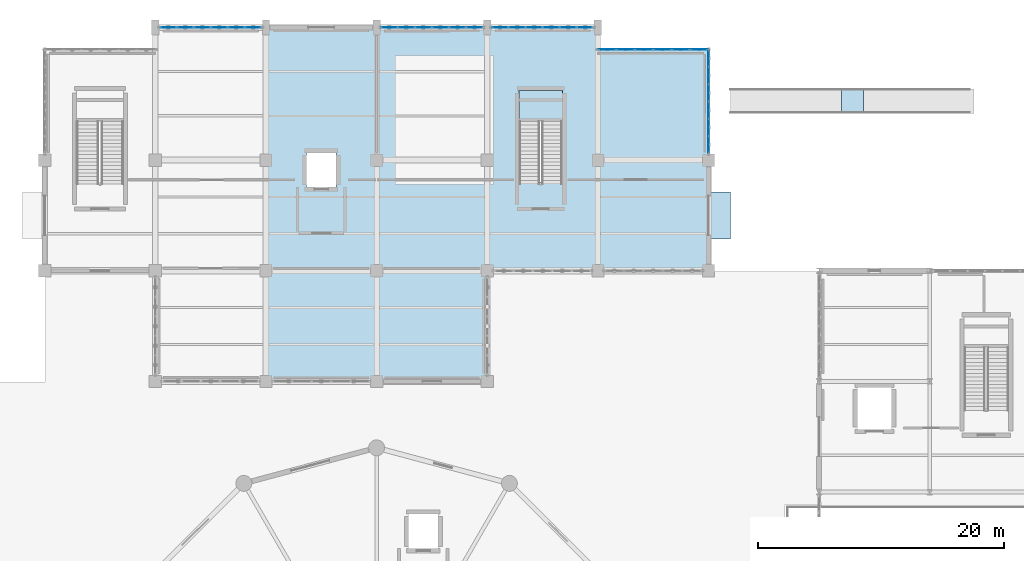
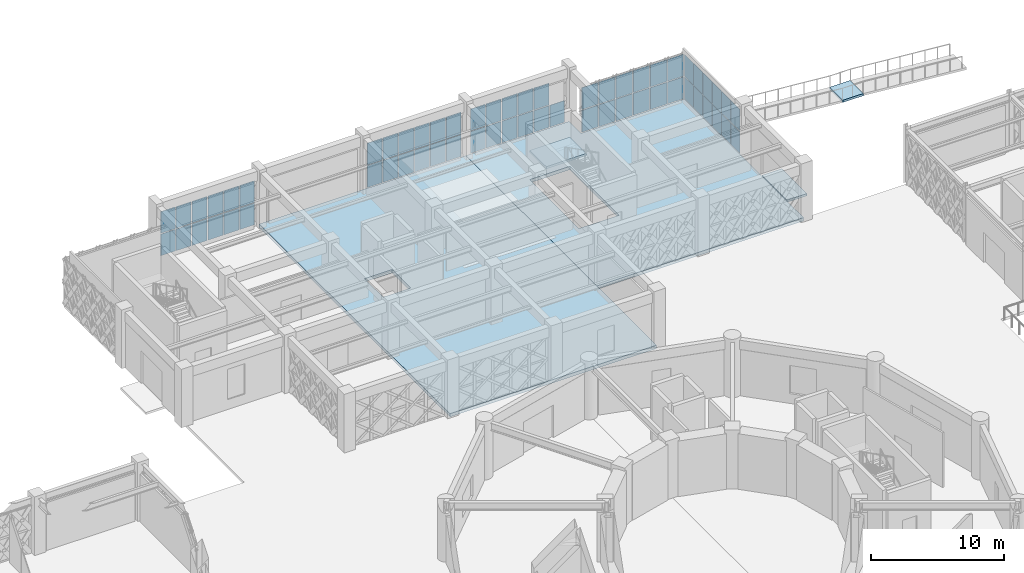
# One storey, part 109 of 140: 59 plates, 5 slabs, 7 elements without a shape of their own.
"""IFC4 building model written with IfcOpenShell, lengths in metres."""

from ifc_helpers import new_model, si_unit, direction, frame, origin, origin_2d, place, context, subcontext, project, spatial, polyline, rectangle, outline, extrude, material, layer, layer_set, type_object, element, aggregate, save


model = new_model("IFC4")

# Units and contexts
model_context = context("Model", 3, precision=1e-05, world=origin(), true_north=direction((0.0, 1.0)))
body_context = subcontext(model_context, "Body", "Model", "MODEL_VIEW")
ifc_project = project(units=[si_unit("LENGTHUNIT", "METRE"), si_unit("AREAUNIT", "SQUARE_METRE"), si_unit("VOLUMEUNIT", "CUBIC_METRE"), si_unit("PLANEANGLEUNIT", "RADIAN"), si_unit("MASSUNIT", "GRAM", prefix="KILO")], contexts=[model_context])

# Site, building, storey
site_placement = place(None, origin())
site = spatial("IfcSite", under=ifc_project, at=site_placement, CompositionType="ELEMENT")
building_placement = place(site_placement, origin())
building = spatial("IfcBuilding", under=site, at=building_placement, Name="Haizhuo Lancet Aquarium", CompositionType="ELEMENT")
storey_placement = place(building_placement, origin())
storey = spatial("IfcBuildingStorey", under=building, at=storey_placement, Name="L00", CompositionType="ELEMENT", Elevation=0.0)

# Curtain wall, plates
ifc_material_1 = material(Name="Aluminium 6063-T6", Category="aluminium")
curtain_wall_type_1 = type_object("IfcCurtainWallType", Name="CWD-8310x4220", PredefinedType="NOTDEFINED", material=ifc_material_1)
curtain_wall_1_placement = place(storey_placement, origin())
curtain_wall_1 = element("IfcCurtainWall", 1, at=curtain_wall_1_placement, inside=storey, type_object=curtain_wall_type_1, Name="L00 curtain wall CW-V5-L00-117", PredefinedType="NOTDEFINED")
ifc_material_2 = material(Name="Laminated Low-E Glass", Category="glass")
ifc_layer_1 = layer(ifc_material_2, 0.028076171875)
ifc_layer_set_1 = layer_set([ifc_layer_1], Name="Laminated Low-E Glass")
plate_type_1 = type_object("IfcPlateType", Name="CW-PNL-1", PredefinedType="CURTAIN_PANEL", material=ifc_layer_set_1)
plate_1_placement = place(storey_placement, frame((-16.943115234375, 55.800048828125, 0.080078125), z_axis=(0.0, 0.0, 1.0), x_axis=(1.0, 0.0, 0.0)))
plate_1 = element("IfcPlate", 2, at=plate_1_placement, type_object=plate_type_1, Name="CWD-83x42 panel 1.1", PredefinedType="CURTAIN_PANEL", context=body_context, shape_type="SweptSolid", body=[
    extrude(rectangle(XDim=1.264892578125, YDim=0.028076171875, at=origin_2d()), origin(), (0.0, 0.0, 1.0), 1.989990234375),
])
plate_2_placement = place(storey_placement, frame((-16.943115234375, 55.800048828125, 2.14990234375), z_axis=(0.0, 0.0, 1.0), x_axis=(1.0, 0.0, 0.0)))
plate_2 = element("IfcPlate", 3, at=plate_2_placement, type_object=plate_type_1, Name="CWD-83x42 panel 1.2", PredefinedType="CURTAIN_PANEL", context=body_context, shape_type="SweptSolid", body=[
    extrude(rectangle(XDim=1.264892578125, YDim=0.028076171875, at=origin_2d()), origin(), (0.0, 0.0, 1.0), 1.989990234375),
])
plate_3_placement = place(storey_placement, frame((-15.577880859375, 55.800048828125, 0.080078125), z_axis=(0.0, 0.0, 1.0), x_axis=(1.0, 0.0, 0.0)))
plate_3 = element("IfcPlate", 4, at=plate_3_placement, type_object=plate_type_1, Name="CWD-83x42 panel 2.1", PredefinedType="CURTAIN_PANEL", context=body_context, shape_type="SweptSolid", body=[
    extrude(rectangle(XDim=1.304931640625, YDim=0.028076171875, at=origin_2d()), origin(), (0.0, 0.0, 1.0), 1.989990234375),
])
plate_4_placement = place(storey_placement, frame((-15.577880859375, 55.800048828125, 2.14990234375), z_axis=(0.0, 0.0, 1.0), x_axis=(1.0, 0.0, 0.0)))
plate_4 = element("IfcPlate", 5, at=plate_4_placement, type_object=plate_type_1, Name="CWD-83x42 panel 2.2", PredefinedType="CURTAIN_PANEL", context=body_context, shape_type="SweptSolid", body=[
    extrude(rectangle(XDim=1.304931640625, YDim=0.028076171875, at=origin_2d()), origin(), (0.0, 0.0, 1.0), 1.989990234375),
])
plate_5_placement = place(storey_placement, frame((-14.193115234375, 55.800048828125, 0.080078125), z_axis=(0.0, 0.0, 1.0), x_axis=(1.0, 0.0, 0.0)))
plate_5 = element("IfcPlate", 6, at=plate_5_placement, type_object=plate_type_1, Name="CWD-83x42 panel 3.1", PredefinedType="CURTAIN_PANEL", context=body_context, shape_type="SweptSolid", body=[
    extrude(rectangle(XDim=1.304931640625, YDim=0.028076171875, at=origin_2d()), origin(), (0.0, 0.0, 1.0), 1.989990234375),
])
plate_6_placement = place(storey_placement, frame((-14.193115234375, 55.800048828125, 2.14990234375), z_axis=(0.0, 0.0, 1.0), x_axis=(1.0, 0.0, 0.0)))
plate_6 = element("IfcPlate", 7, at=plate_6_placement, type_object=plate_type_1, Name="CWD-83x42 panel 3.2", PredefinedType="CURTAIN_PANEL", context=body_context, shape_type="SweptSolid", body=[
    extrude(rectangle(XDim=1.304931640625, YDim=0.028076171875, at=origin_2d()), origin(), (0.0, 0.0, 1.0), 1.989990234375),
])
plate_7_placement = place(storey_placement, frame((-12.80810546875, 55.800048828125, 0.080078125), z_axis=(0.0, 0.0, 1.0), x_axis=(1.0, 0.0, 0.0)))
plate_7 = element("IfcPlate", 8, at=plate_7_placement, type_object=plate_type_1, Name="CWD-83x42 panel 4.1", PredefinedType="CURTAIN_PANEL", context=body_context, shape_type="SweptSolid", body=[
    extrude(rectangle(XDim=1.304931640625, YDim=0.028076171875, at=origin_2d()), origin(), (0.0, 0.0, 1.0), 1.989990234375),
])
plate_8_placement = place(storey_placement, frame((-12.80810546875, 55.800048828125, 2.14990234375), z_axis=(0.0, 0.0, 1.0), x_axis=(1.0, 0.0, 0.0)))
plate_8 = element("IfcPlate", 9, at=plate_8_placement, type_object=plate_type_1, Name="CWD-83x42 panel 4.2", PredefinedType="CURTAIN_PANEL", context=body_context, shape_type="SweptSolid", body=[
    extrude(rectangle(XDim=1.304931640625, YDim=0.028076171875, at=origin_2d()), origin(), (0.0, 0.0, 1.0), 1.989990234375),
])
plate_9_placement = place(storey_placement, frame((-11.423095703125, 55.800048828125, 0.080078125), z_axis=(0.0, 0.0, 1.0), x_axis=(1.0, 0.0, 0.0)))
plate_9 = element("IfcPlate", 10, at=plate_9_placement, type_object=plate_type_1, Name="CWD-83x42 panel 5.1", PredefinedType="CURTAIN_PANEL", context=body_context, shape_type="SweptSolid", body=[
    extrude(rectangle(XDim=1.304931640625, YDim=0.028076171875, at=origin_2d()), origin(), (0.0, 0.0, 1.0), 1.989990234375),
])
plate_10_placement = place(storey_placement, frame((-11.423095703125, 55.800048828125, 2.14990234375), z_axis=(0.0, 0.0, 1.0), x_axis=(1.0, 0.0, 0.0)))
plate_10 = element("IfcPlate", 11, at=plate_10_placement, type_object=plate_type_1, Name="CWD-83x42 panel 5.2", PredefinedType="CURTAIN_PANEL", context=body_context, shape_type="SweptSolid", body=[
    extrude(rectangle(XDim=1.304931640625, YDim=0.028076171875, at=origin_2d()), origin(), (0.0, 0.0, 1.0), 1.989990234375),
])
plate_11_placement = place(storey_placement, frame((-10.05810546875, 55.800048828125, 0.080078125), z_axis=(0.0, 0.0, 1.0), x_axis=(1.0, 0.0, 0.0)))
plate_11 = element("IfcPlate", 12, at=plate_11_placement, type_object=plate_type_1, Name="CWD-83x42 panel 6.1", PredefinedType="CURTAIN_PANEL", context=body_context, shape_type="SweptSolid", body=[
    extrude(rectangle(XDim=1.264892578125, YDim=0.028076171875, at=origin_2d()), origin(), (0.0, 0.0, 1.0), 1.989990234375),
])
plate_12_placement = place(storey_placement, frame((-10.05810546875, 55.800048828125, 2.14990234375), z_axis=(0.0, 0.0, 1.0), x_axis=(1.0, 0.0, 0.0)))
plate_12 = element("IfcPlate", 13, at=plate_12_placement, type_object=plate_type_1, Name="CWD-83x42 panel 6.2", PredefinedType="CURTAIN_PANEL", context=body_context, shape_type="SweptSolid", body=[
    extrude(rectangle(XDim=1.264892578125, YDim=0.028076171875, at=origin_2d()), origin(), (0.0, 0.0, 1.0), 1.989990234375),
])
aggregate(curtain_wall_1, [plate_1, plate_2, plate_3, plate_4, plate_5, plate_6, plate_7, plate_8, plate_9, plate_10, plate_11, plate_12])

curtain_wall_type_2 = type_object("IfcCurtainWallType", Name="CWD-8460x4200", PredefinedType="NOTDEFINED", material=ifc_material_1)
curtain_wall_2_placement = place(storey_placement, origin())
curtain_wall_2 = element("IfcCurtainWall", 14, at=curtain_wall_2_placement, inside=storey, type_object=curtain_wall_type_2, Name="L00 curtain wall CW-V5-L00-121", PredefinedType="NOTDEFINED")
plate_13_placement = place(storey_placement, frame((27.0, 53.279052734375, 0.06494140625), z_axis=(0.0, 0.0, 1.0), x_axis=(0.0, -1.0, 0.0)))
plate_13 = element("IfcPlate", 15, at=plate_13_placement, type_object=plate_type_1, Name="CWD-84x42 panel 1.1", PredefinedType="CURTAIN_PANEL", context=body_context, shape_type="SweptSolid", body=[
    extrude(rectangle(XDim=1.31201171875, YDim=0.028076171875, at=origin_2d()), origin(), (0.0, 0.0, 1.0), 2.006103515625),
])
plate_14_placement = place(storey_placement, frame((27.0, 53.279052734375, 2.135498046875), z_axis=(0.0, 0.0, 1.0), x_axis=(0.0, -1.0, 0.0)))
plate_14 = element("IfcPlate", 16, at=plate_14_placement, type_object=plate_type_1, Name="CWD-84x42 panel 1.2", PredefinedType="CURTAIN_PANEL", context=body_context, shape_type="SweptSolid", body=[
    extrude(rectangle(XDim=1.31201171875, YDim=0.028076171875, at=origin_2d()), origin(), (0.0, 0.0, 1.0), 2.0048828125),
])
plate_15_placement = place(storey_placement, frame((27.0, 51.885986328125, 0.06494140625), z_axis=(0.0, 0.0, 1.0), x_axis=(0.0, -1.0, 0.0)))
plate_15 = element("IfcPlate", 17, at=plate_15_placement, type_object=plate_type_1, Name="CWD-84x42 panel 2.1", PredefinedType="CURTAIN_PANEL", context=body_context, shape_type="SweptSolid", body=[
    extrude(rectangle(XDim=1.343994140625, YDim=0.028076171875, at=origin_2d()), origin(), (0.0, 0.0, 1.0), 2.006103515625),
])
plate_16_placement = place(storey_placement, frame((27.0, 51.885986328125, 2.135498046875), z_axis=(0.0, 0.0, 1.0), x_axis=(0.0, -1.0, 0.0)))
plate_16 = element("IfcPlate", 18, at=plate_16_placement, type_object=plate_type_1, Name="CWD-84x42 panel 2.2", PredefinedType="CURTAIN_PANEL", context=body_context, shape_type="SweptSolid", body=[
    extrude(rectangle(XDim=1.343994140625, YDim=0.028076171875, at=origin_2d()), origin(), (0.0, 0.0, 1.0), 2.0048828125),
])
plate_17_placement = place(storey_placement, frame((27.0, 50.47705078125, 0.06494140625), z_axis=(0.0, 0.0, 1.0), x_axis=(0.0, -1.0, 0.0)))
plate_17 = element("IfcPlate", 19, at=plate_17_placement, type_object=plate_type_1, Name="CWD-84x42 panel 3.1", PredefinedType="CURTAIN_PANEL", context=body_context, shape_type="SweptSolid", body=[
    extrude(rectangle(XDim=1.343994140625, YDim=0.028076171875, at=origin_2d()), origin(), (0.0, 0.0, 1.0), 2.006103515625),
])
plate_18_placement = place(storey_placement, frame((27.0, 50.47705078125, 2.135498046875), z_axis=(0.0, 0.0, 1.0), x_axis=(0.0, -1.0, 0.0)))
plate_18 = element("IfcPlate", 20, at=plate_18_placement, type_object=plate_type_1, Name="CWD-84x42 panel 3.2", PredefinedType="CURTAIN_PANEL", context=body_context, shape_type="SweptSolid", body=[
    extrude(rectangle(XDim=1.343994140625, YDim=0.028076171875, at=origin_2d()), origin(), (0.0, 0.0, 1.0), 2.0048828125),
])
plate_19_placement = place(storey_placement, frame((27.0, 49.068115234375, 0.06494140625), z_axis=(0.0, 0.0, 1.0), x_axis=(0.0, -1.0, 0.0)))
plate_19 = element("IfcPlate", 21, at=plate_19_placement, type_object=plate_type_1, Name="CWD-84x42 panel 4.1", PredefinedType="CURTAIN_PANEL", context=body_context, shape_type="SweptSolid", body=[
    extrude(rectangle(XDim=1.343994140625, YDim=0.028076171875, at=origin_2d()), origin(), (0.0, 0.0, 1.0), 2.006103515625),
])
plate_20_placement = place(storey_placement, frame((27.0, 49.068115234375, 2.135498046875), z_axis=(0.0, 0.0, 1.0), x_axis=(0.0, -1.0, 0.0)))
plate_20 = element("IfcPlate", 22, at=plate_20_placement, type_object=plate_type_1, Name="CWD-84x42 panel 4.2", PredefinedType="CURTAIN_PANEL", context=body_context, shape_type="SweptSolid", body=[
    extrude(rectangle(XDim=1.343994140625, YDim=0.028076171875, at=origin_2d()), origin(), (0.0, 0.0, 1.0), 2.0048828125),
])
plate_21_placement = place(storey_placement, frame((27.0, 47.658935546875, 0.06494140625), z_axis=(0.0, 0.0, 1.0), x_axis=(0.0, -1.0, 0.0)))
plate_21 = element("IfcPlate", 23, at=plate_21_placement, type_object=plate_type_1, Name="CWD-84x42 panel 5.1", PredefinedType="CURTAIN_PANEL", context=body_context, shape_type="SweptSolid", body=[
    extrude(rectangle(XDim=1.343994140625, YDim=0.028076171875, at=origin_2d()), origin(), (0.0, 0.0, 1.0), 2.006103515625),
])
plate_22_placement = place(storey_placement, frame((27.0, 47.658935546875, 2.135498046875), z_axis=(0.0, 0.0, 1.0), x_axis=(0.0, -1.0, 0.0)))
plate_22 = element("IfcPlate", 24, at=plate_22_placement, type_object=plate_type_1, Name="CWD-84x42 panel 5.2", PredefinedType="CURTAIN_PANEL", context=body_context, shape_type="SweptSolid", body=[
    extrude(rectangle(XDim=1.343994140625, YDim=0.028076171875, at=origin_2d()), origin(), (0.0, 0.0, 1.0), 2.0048828125),
])
plate_23_placement = place(storey_placement, frame((27.0, 46.26611328125, 0.06494140625), z_axis=(0.0, 0.0, 1.0), x_axis=(0.0, -1.0, 0.0)))
plate_23 = element("IfcPlate", 25, at=plate_23_placement, type_object=plate_type_1, Name="CWD-84x42 panel 6.1", PredefinedType="CURTAIN_PANEL", context=body_context, shape_type="SweptSolid", body=[
    extrude(rectangle(XDim=1.31201171875, YDim=0.028076171875, at=origin_2d()), origin(), (0.0, 0.0, 1.0), 2.006103515625),
])
plate_24_placement = place(storey_placement, frame((27.0, 46.26611328125, 2.135498046875), z_axis=(0.0, 0.0, 1.0), x_axis=(0.0, -1.0, 0.0)))
plate_24 = element("IfcPlate", 26, at=plate_24_placement, type_object=plate_type_1, Name="CWD-84x42 panel 6.2", PredefinedType="CURTAIN_PANEL", context=body_context, shape_type="SweptSolid", body=[
    extrude(rectangle(XDim=1.31201171875, YDim=0.028076171875, at=origin_2d()), origin(), (0.0, 0.0, 1.0), 2.0048828125),
])
aggregate(curtain_wall_2, [plate_13, plate_14, plate_15, plate_16, plate_17, plate_18, plate_19, plate_20, plate_21, plate_22, plate_23, plate_24])

curtain_wall_3_placement = place(storey_placement, origin())
curtain_wall_3 = element("IfcCurtainWall", 27, at=curtain_wall_3_placement, inside=storey, type_object=curtain_wall_type_1, Name="L00 curtain wall CW-V5-L00-118", PredefinedType="NOTDEFINED")
ifc_layer_2 = layer(ifc_material_2, 0.033935546875)
ifc_layer_set_2 = layer_set([ifc_layer_2], Name="Laminated Low-E Glass")
plate_type_2 = type_object("IfcPlateType", Name="CW-PNL-2", PredefinedType="CURTAIN_PANEL", material=ifc_layer_set_2)
plate_25_placement = place(storey_placement, frame((1.053955078125, 55.800048828125, 0.06494140625), z_axis=(0.0, 0.0, 1.0), x_axis=(1.0, 0.0, 0.0)))
plate_25 = element("IfcPlate", 28, at=plate_25_placement, type_object=plate_type_2, Name="CWD-83x42 panel 1.1", PredefinedType="CURTAIN_PANEL", context=body_context, shape_type="SweptSolid", body=[
    extrude(rectangle(XDim=1.287109375, YDim=0.033935546875, at=origin_2d()), origin(), (0.0, 0.0, 1.0), 2.011962890625),
])
plate_26_placement = place(storey_placement, frame((1.053955078125, 55.800048828125, 2.142578125), z_axis=(0.0, 0.0, 1.0), x_axis=(1.0, 0.0, 0.0)))
plate_26 = element("IfcPlate", 29, at=plate_26_placement, type_object=plate_type_2, Name="CWD-83x42 panel 1.2", PredefinedType="CURTAIN_PANEL", context=body_context, shape_type="SweptSolid", body=[
    extrude(rectangle(XDim=1.287109375, YDim=0.033935546875, at=origin_2d()), origin(), (0.0, 0.0, 1.0), 2.012939453125),
])
plate_27_placement = place(storey_placement, frame((2.422119140625, 55.800048828125, 0.06494140625), z_axis=(0.0, 0.0, 1.0), x_axis=(1.0, 0.0, 0.0)))
plate_27 = element("IfcPlate", 30, at=plate_27_placement, type_object=plate_type_2, Name="CWD-83x42 panel 2.1", PredefinedType="CURTAIN_PANEL", context=body_context, shape_type="SweptSolid", body=[
    extrude(rectangle(XDim=1.320068359375, YDim=0.033935546875, at=origin_2d()), origin(), (0.0, 0.0, 1.0), 2.011962890625),
])
plate_28_placement = place(storey_placement, frame((2.422119140625, 55.800048828125, 2.142578125), z_axis=(0.0, 0.0, 1.0), x_axis=(1.0, 0.0, 0.0)))
plate_28 = element("IfcPlate", 31, at=plate_28_placement, type_object=plate_type_2, Name="CWD-83x42 panel 2.2", PredefinedType="CURTAIN_PANEL", context=body_context, shape_type="SweptSolid", body=[
    extrude(rectangle(XDim=1.320068359375, YDim=0.033935546875, at=origin_2d()), origin(), (0.0, 0.0, 1.0), 2.012939453125),
])
plate_29_placement = place(storey_placement, frame((3.806884765625, 55.800048828125, 0.06494140625), z_axis=(0.0, 0.0, 1.0), x_axis=(1.0, 0.0, 0.0)))
plate_29 = element("IfcPlate", 32, at=plate_29_placement, type_object=plate_type_2, Name="CWD-83x42 panel 3.1", PredefinedType="CURTAIN_PANEL", context=body_context, shape_type="SweptSolid", body=[
    extrude(rectangle(XDim=1.320068359375, YDim=0.033935546875, at=origin_2d()), origin(), (0.0, 0.0, 1.0), 2.011962890625),
])
plate_30_placement = place(storey_placement, frame((3.806884765625, 55.800048828125, 2.142578125), z_axis=(0.0, 0.0, 1.0), x_axis=(1.0, 0.0, 0.0)))
plate_30 = element("IfcPlate", 33, at=plate_30_placement, type_object=plate_type_2, Name="CWD-83x42 panel 3.2", PredefinedType="CURTAIN_PANEL", context=body_context, shape_type="SweptSolid", body=[
    extrude(rectangle(XDim=1.320068359375, YDim=0.033935546875, at=origin_2d()), origin(), (0.0, 0.0, 1.0), 2.012939453125),
])
plate_31_placement = place(storey_placement, frame((5.19189453125, 55.800048828125, 0.06494140625), z_axis=(0.0, 0.0, 1.0), x_axis=(1.0, 0.0, 0.0)))
plate_31 = element("IfcPlate", 34, at=plate_31_placement, type_object=plate_type_2, Name="CWD-83x42 panel 4.1", PredefinedType="CURTAIN_PANEL", context=body_context, shape_type="SweptSolid", body=[
    extrude(rectangle(XDim=1.320068359375, YDim=0.033935546875, at=origin_2d()), origin(), (0.0, 0.0, 1.0), 2.011962890625),
])
plate_32_placement = place(storey_placement, frame((5.19189453125, 55.800048828125, 2.142578125), z_axis=(0.0, 0.0, 1.0), x_axis=(1.0, 0.0, 0.0)))
plate_32 = element("IfcPlate", 35, at=plate_32_placement, type_object=plate_type_2, Name="CWD-83x42 panel 4.2", PredefinedType="CURTAIN_PANEL", context=body_context, shape_type="SweptSolid", body=[
    extrude(rectangle(XDim=1.320068359375, YDim=0.033935546875, at=origin_2d()), origin(), (0.0, 0.0, 1.0), 2.012939453125),
])
plate_33_placement = place(storey_placement, frame((6.576904296875, 55.800048828125, 0.06494140625), z_axis=(0.0, 0.0, 1.0), x_axis=(1.0, 0.0, 0.0)))
plate_33 = element("IfcPlate", 36, at=plate_33_placement, type_object=plate_type_2, Name="CWD-83x42 panel 5.1", PredefinedType="CURTAIN_PANEL", context=body_context, shape_type="SweptSolid", body=[
    extrude(rectangle(XDim=1.320068359375, YDim=0.033935546875, at=origin_2d()), origin(), (0.0, 0.0, 1.0), 2.011962890625),
])
plate_34_placement = place(storey_placement, frame((6.576904296875, 55.800048828125, 2.142578125), z_axis=(0.0, 0.0, 1.0), x_axis=(1.0, 0.0, 0.0)))
plate_34 = element("IfcPlate", 37, at=plate_34_placement, type_object=plate_type_2, Name="CWD-83x42 panel 5.2", PredefinedType="CURTAIN_PANEL", context=body_context, shape_type="SweptSolid", body=[
    extrude(rectangle(XDim=1.320068359375, YDim=0.033935546875, at=origin_2d()), origin(), (0.0, 0.0, 1.0), 2.012939453125),
])
plate_35_placement = place(storey_placement, frame((7.946044921875, 55.800048828125, 0.06494140625), z_axis=(0.0, 0.0, 1.0), x_axis=(1.0, 0.0, 0.0)))
plate_35 = element("IfcPlate", 38, at=plate_35_placement, type_object=plate_type_2, Name="CWD-83x42 panel 6.1", PredefinedType="CURTAIN_PANEL", context=body_context, shape_type="SweptSolid", body=[
    extrude(rectangle(XDim=1.287109375, YDim=0.033935546875, at=origin_2d()), origin(), (0.0, 0.0, 1.0), 2.011962890625),
])
plate_36_placement = place(storey_placement, frame((7.946044921875, 55.800048828125, 2.142578125), z_axis=(0.0, 0.0, 1.0), x_axis=(1.0, 0.0, 0.0)))
plate_36 = element("IfcPlate", 39, at=plate_36_placement, type_object=plate_type_2, Name="CWD-83x42 panel 6.2", PredefinedType="CURTAIN_PANEL", context=body_context, shape_type="SweptSolid", body=[
    extrude(rectangle(XDim=1.287109375, YDim=0.033935546875, at=origin_2d()), origin(), (0.0, 0.0, 1.0), 2.012939453125),
])
aggregate(curtain_wall_3, [plate_25, plate_26, plate_27, plate_28, plate_29, plate_30, plate_31, plate_32, plate_33, plate_34, plate_35, plate_36])

curtain_wall_4_placement = place(storey_placement, origin())
curtain_wall_4 = element("IfcCurtainWall", 40, at=curtain_wall_4_placement, inside=storey, type_object=curtain_wall_type_1, Name="L00 curtain wall CW-V5-L00-119", PredefinedType="NOTDEFINED")
ifc_layer_3 = layer(ifc_material_2, 0.0419921875)
ifc_layer_set_3 = layer_set([ifc_layer_3], Name="Laminated Low-E Glass")
plate_type_3 = type_object("IfcPlateType", Name="CW-PNL-3", PredefinedType="CURTAIN_PANEL", material=ifc_layer_set_3)
plate_37_placement = place(storey_placement, frame((10.055908203125, 55.800048828125, 0.075439453125), z_axis=(0.0, 0.0, 1.0), x_axis=(1.0, 0.0, 0.0)))
plate_37 = element("IfcPlate", 41, at=plate_37_placement, type_object=plate_type_3, Name="CWD-83x42 panel 1.1", PredefinedType="CURTAIN_PANEL", context=body_context, shape_type="SweptSolid", body=[
    extrude(rectangle(XDim=1.27197265625, YDim=0.0419921875, at=origin_2d()), origin(), (0.0, 0.0, 1.0), 1.9970703125),
])
plate_38_placement = place(storey_placement, frame((10.055908203125, 55.800048828125, 2.14697265625), z_axis=(0.0, 0.0, 1.0), x_axis=(1.0, 0.0, 0.0)))
plate_38 = element("IfcPlate", 42, at=plate_38_placement, type_object=plate_type_3, Name="CWD-83x42 panel 1.2", PredefinedType="CURTAIN_PANEL", context=body_context, shape_type="SweptSolid", body=[
    extrude(rectangle(XDim=1.27197265625, YDim=0.0419921875, at=origin_2d()), origin(), (0.0, 0.0, 1.0), 1.998046875),
])
plate_39_placement = place(storey_placement, frame((11.423095703125, 55.800048828125, 0.075439453125), z_axis=(0.0, 0.0, 1.0), x_axis=(1.0, 0.0, 0.0)))
plate_39 = element("IfcPlate", 43, at=plate_39_placement, type_object=plate_type_3, Name="CWD-83x42 panel 2.1", PredefinedType="CURTAIN_PANEL", context=body_context, shape_type="SweptSolid", body=[
    extrude(rectangle(XDim=1.31005859375, YDim=0.0419921875, at=origin_2d()), origin(), (0.0, 0.0, 1.0), 1.9970703125),
])
plate_40_placement = place(storey_placement, frame((11.423095703125, 55.800048828125, 2.14697265625), z_axis=(0.0, 0.0, 1.0), x_axis=(1.0, 0.0, 0.0)))
plate_40 = element("IfcPlate", 44, at=plate_40_placement, type_object=plate_type_3, Name="CWD-83x42 panel 2.2", PredefinedType="CURTAIN_PANEL", context=body_context, shape_type="SweptSolid", body=[
    extrude(rectangle(XDim=1.31005859375, YDim=0.0419921875, at=origin_2d()), origin(), (0.0, 0.0, 1.0), 1.998046875),
])
plate_41_placement = place(storey_placement, frame((12.80810546875, 55.800048828125, 0.075439453125), z_axis=(0.0, 0.0, 1.0), x_axis=(1.0, 0.0, 0.0)))
plate_41 = element("IfcPlate", 45, at=plate_41_placement, type_object=plate_type_3, Name="CWD-83x42 panel 3.1", PredefinedType="CURTAIN_PANEL", context=body_context, shape_type="SweptSolid", body=[
    extrude(rectangle(XDim=1.31005859375, YDim=0.0419921875, at=origin_2d()), origin(), (0.0, 0.0, 1.0), 1.9970703125),
])
plate_42_placement = place(storey_placement, frame((12.80810546875, 55.800048828125, 2.14697265625), z_axis=(0.0, 0.0, 1.0), x_axis=(1.0, 0.0, 0.0)))
plate_42 = element("IfcPlate", 46, at=plate_42_placement, type_object=plate_type_3, Name="CWD-83x42 panel 3.2", PredefinedType="CURTAIN_PANEL", context=body_context, shape_type="SweptSolid", body=[
    extrude(rectangle(XDim=1.31005859375, YDim=0.0419921875, at=origin_2d()), origin(), (0.0, 0.0, 1.0), 1.998046875),
])
plate_43_placement = place(storey_placement, frame((14.193115234375, 55.800048828125, 0.075439453125), z_axis=(0.0, 0.0, 1.0), x_axis=(1.0, 0.0, 0.0)))
plate_43 = element("IfcPlate", 47, at=plate_43_placement, type_object=plate_type_3, Name="CWD-83x42 panel 4.1", PredefinedType="CURTAIN_PANEL", context=body_context, shape_type="SweptSolid", body=[
    extrude(rectangle(XDim=1.31005859375, YDim=0.0419921875, at=origin_2d()), origin(), (0.0, 0.0, 1.0), 1.9970703125),
])
plate_44_placement = place(storey_placement, frame((14.193115234375, 55.800048828125, 2.14697265625), z_axis=(0.0, 0.0, 1.0), x_axis=(1.0, 0.0, 0.0)))
plate_44 = element("IfcPlate", 48, at=plate_44_placement, type_object=plate_type_3, Name="CWD-83x42 panel 4.2", PredefinedType="CURTAIN_PANEL", context=body_context, shape_type="SweptSolid", body=[
    extrude(rectangle(XDim=1.31005859375, YDim=0.0419921875, at=origin_2d()), origin(), (0.0, 0.0, 1.0), 1.998046875),
])
plate_45_placement = place(storey_placement, frame((15.577880859375, 55.800048828125, 0.075439453125), z_axis=(0.0, 0.0, 1.0), x_axis=(1.0, 0.0, 0.0)))
plate_45 = element("IfcPlate", 49, at=plate_45_placement, type_object=plate_type_3, Name="CWD-83x42 panel 5.1", PredefinedType="CURTAIN_PANEL", context=body_context, shape_type="SweptSolid", body=[
    extrude(rectangle(XDim=1.31005859375, YDim=0.0419921875, at=origin_2d()), origin(), (0.0, 0.0, 1.0), 1.9970703125),
])
plate_46_placement = place(storey_placement, frame((15.577880859375, 55.800048828125, 2.14697265625), z_axis=(0.0, 0.0, 1.0), x_axis=(1.0, 0.0, 0.0)))
plate_46 = element("IfcPlate", 50, at=plate_46_placement, type_object=plate_type_3, Name="CWD-83x42 panel 5.2", PredefinedType="CURTAIN_PANEL", context=body_context, shape_type="SweptSolid", body=[
    extrude(rectangle(XDim=1.31005859375, YDim=0.0419921875, at=origin_2d()), origin(), (0.0, 0.0, 1.0), 1.998046875),
])
plate_47_placement = place(storey_placement, frame((16.944091796875, 55.800048828125, 0.075439453125), z_axis=(0.0, 0.0, 1.0), x_axis=(1.0, 0.0, 0.0)))
plate_47 = element("IfcPlate", 51, at=plate_47_placement, type_object=plate_type_3, Name="CWD-83x42 panel 6.1", PredefinedType="CURTAIN_PANEL", context=body_context, shape_type="SweptSolid", body=[
    extrude(rectangle(XDim=1.27294921875, YDim=0.0419921875, at=origin_2d()), origin(), (0.0, 0.0, 1.0), 1.9970703125),
])
aggregate(curtain_wall_4, [plate_37, plate_38, plate_39, plate_40, plate_41, plate_42, plate_43, plate_44, plate_45, plate_46, plate_47])

curtain_wall_type_3 = type_object("IfcCurtainWallType", Name="CWD-9000x4260", PredefinedType="NOTDEFINED", material=ifc_material_1)
curtain_wall_5_placement = place(storey_placement, origin())
curtain_wall_5 = element("IfcCurtainWall", 52, at=curtain_wall_5_placement, inside=storey, type_object=curtain_wall_type_3, Name="L00 curtain wall CW-V5-L00-120", PredefinedType="NOTDEFINED")
ifc_layer_4 = layer(ifc_material_2, 0.052001953125)
ifc_layer_set_4 = layer_set([ifc_layer_4], Name="Laminated Low-E Glass")
plate_type_4 = type_object("IfcPlateType", Name="CW-PNL-4", PredefinedType="CURTAIN_PANEL", material=ifc_layer_set_4)
plate_48_placement = place(storey_placement, frame((18.77001953125, 54.0, 0.07958984375), z_axis=(0.0, 0.0, 1.0), x_axis=(1.0, 0.0, 0.0)))
plate_48 = element("IfcPlate", 53, at=plate_48_placement, type_object=plate_type_4, Name="CWD-90x42 panel 1.1", PredefinedType="CURTAIN_PANEL", context=body_context, shape_type="SweptSolid", body=[
    extrude(rectangle(XDim=1.3798828125, YDim=0.052001953125, at=origin_2d()), origin(), (0.0, 0.0, 1.0), 2.007080078125),
])
plate_49_placement = place(storey_placement, frame((18.77001953125, 54.0, 2.1669921875), z_axis=(0.0, 0.0, 1.0), x_axis=(1.0, 0.0, 0.0)))
plate_49 = element("IfcPlate", 54, at=plate_49_placement, type_object=plate_type_4, Name="CWD-90x42 panel 1.2", PredefinedType="CURTAIN_PANEL", context=body_context, shape_type="SweptSolid", body=[
    extrude(rectangle(XDim=1.3798828125, YDim=0.052001953125, at=origin_2d()), origin(), (0.0, 0.0, 1.0), 2.008056640625),
])
plate_50_placement = place(storey_placement, frame((20.25, 54.0, 0.07958984375), z_axis=(0.0, 0.0, 1.0), x_axis=(1.0, 0.0, 0.0)))
plate_50 = element("IfcPlate", 55, at=plate_50_placement, type_object=plate_type_4, Name="CWD-90x42 panel 2.1", PredefinedType="CURTAIN_PANEL", context=body_context, shape_type="SweptSolid", body=[
    extrude(rectangle(XDim=1.419921875, YDim=0.052001953125, at=origin_2d()), origin(), (0.0, 0.0, 1.0), 2.007080078125),
])
plate_51_placement = place(storey_placement, frame((20.25, 54.0, 2.1669921875), z_axis=(0.0, 0.0, 1.0), x_axis=(1.0, 0.0, 0.0)))
plate_51 = element("IfcPlate", 56, at=plate_51_placement, type_object=plate_type_4, Name="CWD-90x42 panel 2.2", PredefinedType="CURTAIN_PANEL", context=body_context, shape_type="SweptSolid", body=[
    extrude(rectangle(XDim=1.419921875, YDim=0.052001953125, at=origin_2d()), origin(), (0.0, 0.0, 1.0), 2.008056640625),
])
plate_52_placement = place(storey_placement, frame((21.75, 54.0, 0.07958984375), z_axis=(0.0, 0.0, 1.0), x_axis=(1.0, 0.0, 0.0)))
plate_52 = element("IfcPlate", 57, at=plate_52_placement, type_object=plate_type_4, Name="CWD-90x42 panel 3.1", PredefinedType="CURTAIN_PANEL", context=body_context, shape_type="SweptSolid", body=[
    extrude(rectangle(XDim=1.419921875, YDim=0.052001953125, at=origin_2d()), origin(), (0.0, 0.0, 1.0), 2.007080078125),
])
plate_53_placement = place(storey_placement, frame((21.75, 54.0, 2.1669921875), z_axis=(0.0, 0.0, 1.0), x_axis=(1.0, 0.0, 0.0)))
plate_53 = element("IfcPlate", 58, at=plate_53_placement, type_object=plate_type_4, Name="CWD-90x42 panel 3.2", PredefinedType="CURTAIN_PANEL", context=body_context, shape_type="SweptSolid", body=[
    extrude(rectangle(XDim=1.419921875, YDim=0.052001953125, at=origin_2d()), origin(), (0.0, 0.0, 1.0), 2.008056640625),
])
plate_54_placement = place(storey_placement, frame((23.25, 54.0, 0.07958984375), z_axis=(0.0, 0.0, 1.0), x_axis=(1.0, 0.0, 0.0)))
plate_54 = element("IfcPlate", 59, at=plate_54_placement, type_object=plate_type_4, Name="CWD-90x42 panel 4.1", PredefinedType="CURTAIN_PANEL", context=body_context, shape_type="SweptSolid", body=[
    extrude(rectangle(XDim=1.419921875, YDim=0.052001953125, at=origin_2d()), origin(), (0.0, 0.0, 1.0), 2.007080078125),
])
plate_55_placement = place(storey_placement, frame((23.25, 54.0, 2.1669921875), z_axis=(0.0, 0.0, 1.0), x_axis=(1.0, 0.0, 0.0)))
plate_55 = element("IfcPlate", 60, at=plate_55_placement, type_object=plate_type_4, Name="CWD-90x42 panel 4.2", PredefinedType="CURTAIN_PANEL", context=body_context, shape_type="SweptSolid", body=[
    extrude(rectangle(XDim=1.419921875, YDim=0.052001953125, at=origin_2d()), origin(), (0.0, 0.0, 1.0), 2.008056640625),
])
plate_56_placement = place(storey_placement, frame((24.75, 54.0, 0.07958984375), z_axis=(0.0, 0.0, 1.0), x_axis=(1.0, 0.0, 0.0)))
plate_56 = element("IfcPlate", 61, at=plate_56_placement, type_object=plate_type_4, Name="CWD-90x42 panel 5.1", PredefinedType="CURTAIN_PANEL", context=body_context, shape_type="SweptSolid", body=[
    extrude(rectangle(XDim=1.419921875, YDim=0.052001953125, at=origin_2d()), origin(), (0.0, 0.0, 1.0), 2.007080078125),
])
plate_57_placement = place(storey_placement, frame((24.75, 54.0, 2.1669921875), z_axis=(0.0, 0.0, 1.0), x_axis=(1.0, 0.0, 0.0)))
plate_57 = element("IfcPlate", 62, at=plate_57_placement, type_object=plate_type_4, Name="CWD-90x42 panel 5.2", PredefinedType="CURTAIN_PANEL", context=body_context, shape_type="SweptSolid", body=[
    extrude(rectangle(XDim=1.419921875, YDim=0.052001953125, at=origin_2d()), origin(), (0.0, 0.0, 1.0), 2.008056640625),
])
plate_58_placement = place(storey_placement, frame((26.22998046875, 54.0, 0.07958984375), z_axis=(0.0, 0.0, 1.0), x_axis=(1.0, 0.0, 0.0)))
plate_58 = element("IfcPlate", 63, at=plate_58_placement, type_object=plate_type_4, Name="CWD-90x42 panel 6.1", PredefinedType="CURTAIN_PANEL", context=body_context, shape_type="SweptSolid", body=[
    extrude(rectangle(XDim=1.3798828125, YDim=0.052001953125, at=origin_2d()), origin(), (0.0, 0.0, 1.0), 2.007080078125),
])
plate_59_placement = place(storey_placement, frame((26.22998046875, 54.0, 2.1669921875), z_axis=(0.0, 0.0, 1.0), x_axis=(1.0, 0.0, 0.0)))
plate_59 = element("IfcPlate", 64, at=plate_59_placement, type_object=plate_type_4, Name="CWD-90x42 panel 6.2", PredefinedType="CURTAIN_PANEL", context=body_context, shape_type="SweptSolid", body=[
    extrude(rectangle(XDim=1.3798828125, YDim=0.052001953125, at=origin_2d()), origin(), (0.0, 0.0, 1.0), 2.008056640625),
])
aggregate(curtain_wall_5, [plate_48, plate_49, plate_50, plate_51, plate_52, plate_53, plate_54, plate_55, plate_56, plate_57, plate_58, plate_59])

# Stair, slab
ifc_material_3 = material(Name="Concrete C40/50", Category="concrete")
stair_type = type_object("IfcStairType", Name="STR-HT-1650-54", PredefinedType="HALF_TURN_STAIR", material=ifc_material_3)
stair_placement = place(storey_placement, origin())
stair = element("IfcStair", 65, at=stair_placement, inside=storey, type_object=stair_type, Name="L00 enclosed exit stair ST-08", PredefinedType="HALF_TURN_STAIR")
ifc_layer_5 = layer(ifc_material_3, 0.199951171875)
ifc_layer_set_5 = layer_set([ifc_layer_5], Name="Concrete C40/50")
slab_type_1 = type_object("IfcSlabType", Name="SLB-LND-1650", PredefinedType="LANDING", material=ifc_layer_set_5)
slab_1_placement = place(storey_placement, frame((0.0, 0.0, 2.5)))
slab_1 = element("IfcSlab", 66, at=slab_1_placement, type_object=slab_type_1, Name="ST-25 landing 1", PredefinedType="LANDING", context=body_context, shape_type="SweptSolid", body=[
    extrude(outline(polyline([(15.10009765625, 48.14990234375), (15.10009765625, 50.64990234375), (11.60009765625, 50.64990234375), (11.60009765625, 48.14990234375), (15.10009765625, 48.14990234375)])), origin(), (0.0, 0.0, 1.0), 0.199951171875),
])
aggregate(stair, [slab_1])

# Slabs
ifc_layer_6 = layer(ifc_material_3, 0.300048828125)
ifc_layer_set_6 = layer_set([ifc_layer_6], Name="Concrete C40/50")
slab_type_2 = type_object("IfcSlabType", Name="SLB-PLINTH-300", PredefinedType="FLOOR", material=ifc_layer_set_6)
slab_2_placement = place(storey_placement, frame((0.0, 0.0, -0.300048828125)))
element("IfcSlab", 67, at=slab_2_placement, inside=storey, type_object=slab_type_2, Name="L00 structural slab SL-L00-V5-02", PredefinedType="FLOOR", context=body_context, shape_type="SweptSolid", body=[
    extrude(outline(polyline([(-9.0, 55.800048828125), (-9.0, 27.0), (9.0, 27.0), (9.0, 55.800048828125), (-9.0, 55.800048828125)]), holes=[polyline([(-3.300048828125, 45.60009765625), (-5.699951171875, 45.60009765625), (-5.699951171875, 42.800048828125), (-3.300048828125, 42.800048828125), (-3.300048828125, 45.60009765625)])]), origin(), (0.0, 0.0, 1.0), 0.300048828125),
])
slab_3_placement = place(storey_placement, frame((0.0, 0.0, -0.300048828125)))
element("IfcSlab", 68, at=slab_3_placement, inside=storey, type_object=slab_type_2, Name="L00 structural slab SL-L00-V5-03", PredefinedType="FLOOR", context=body_context, shape_type="SweptSolid", body=[
    extrude(outline(polyline([(9.0, 55.800048828125), (9.0, 36.0), (27.0, 36.0), (27.0, 54.0), (18.0, 54.0), (18.0, 55.800048828125), (9.0, 55.800048828125)]), holes=[polyline([(15.10009765625, 50.64990234375), (11.60009765625, 50.64990234375), (11.60009765625, 43.22998046875), (15.10009765625, 43.22998046875), (15.10009765625, 50.64990234375)])]), origin(), (0.0, 0.0, 1.0), 0.300048828125),
])
ifc_material_4 = material(Name="Shandong Grey Limestone Ashlar", Category="masonry")
slab_type_3 = type_object("IfcSlabType", Name="SLB-PV-200", PredefinedType="BASESLAB", material=ifc_material_4)
slab_4_placement = place(storey_placement, frame((0.0, 0.0, -0.199951171875)))
element("IfcSlab", 69, at=slab_4_placement, inside=storey, type_object=slab_type_3, material=ifc_material_4, Name="At-grade accessible entrance forecourt paving 5", PredefinedType="BASESLAB", context=body_context, shape_type="SweptSolid", body=[
    extrude(outline(polyline([(28.800048828125, 42.39990234375), (27.050048828125, 42.39990234375), (27.050048828125, 38.60009765625), (28.800048828125, 38.60009765625), (28.800048828125, 42.39990234375)])), origin(), (0.0, 0.0, 1.0), 0.199951171875),
])

# Ramp, slab
ramp_type = type_object("IfcRampType", Name="RMP-STR", PredefinedType="STRAIGHT_RUN_RAMP", material=ifc_material_3)
ramp_placement = place(storey_placement, origin())
ramp = element("IfcRamp", 70, at=ramp_placement, inside=storey, type_object=ramp_type, material=ifc_material_3, Name="North Plaza Accessible Plinth Ramp RMP-04", PredefinedType="STRAIGHT_RUN_RAMP")
slab_type_4 = type_object("IfcSlabType", Name="SLB-RMP-LND-200", PredefinedType="LANDING", material=ifc_material_3)
slab_5_placement = place(storey_placement, frame((0.0, 0.0, -0.949951171875)))
slab_5 = element("IfcSlab", 71, at=slab_5_placement, type_object=slab_type_4, material=ifc_material_3, Name="North Plaza Accessible Plinth Ramp RMP-04 landing", PredefinedType="LANDING", context=body_context, shape_type="SweptSolid", body=[
    extrude(outline(polyline([(37.800048828125, 48.800048828125), (39.60009765625, 48.800048828125), (39.60009765625, 50.800048828125), (37.800048828125, 50.800048828125), (37.800048828125, 48.800048828125)])), origin(), (0.0, 0.0, 1.0), 0.199951171875),
])
aggregate(ramp, [slab_5])

save(model, "model.ifc")
